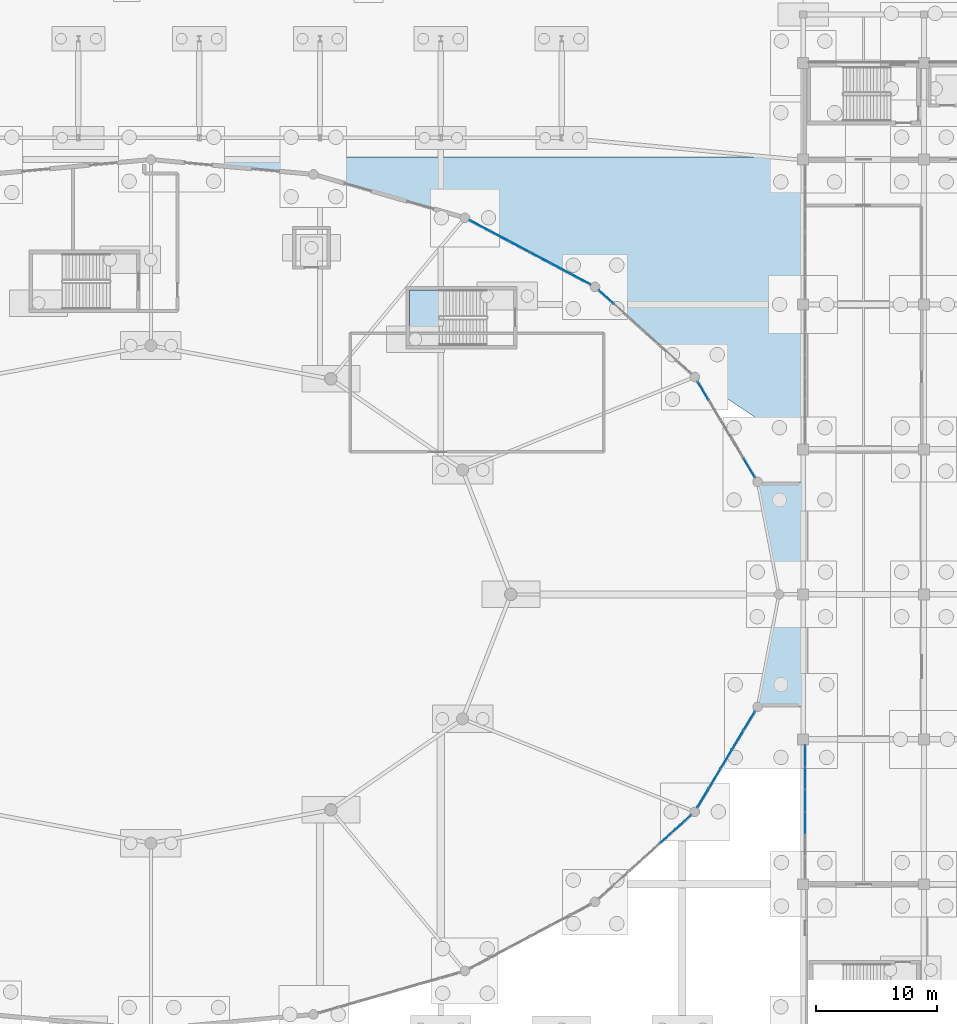
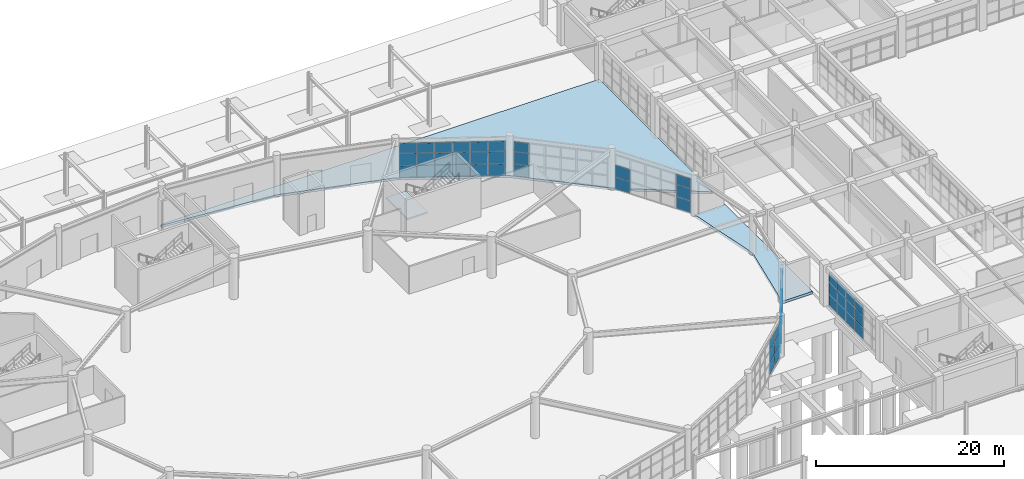
# One storey, part 69 of 99: 59 plates, 3 slabs, 7 elements without a shape of their own.
"""IFC4 building model written with IfcOpenShell, lengths in metres."""

from ifc_helpers import new_model, si_unit, direction, frame, origin, origin_2d, place, context, subcontext, project, spatial, polyline, rectangle, outline, extrude, material, layer, layer_set, type_object, element, aggregate, save


model = new_model("IFC4")

# Units and contexts
model_context = context("Model", 3, precision=1e-05, world=origin(), true_north=direction((0.0, 1.0)))
body_context = subcontext(model_context, "Body", "Model", "MODEL_VIEW")
ifc_project = project(units=[si_unit("LENGTHUNIT", "METRE"), si_unit("AREAUNIT", "SQUARE_METRE"), si_unit("VOLUMEUNIT", "CUBIC_METRE"), si_unit("PLANEANGLEUNIT", "RADIAN"), si_unit("MASSUNIT", "GRAM", prefix="KILO")], contexts=[model_context])

# Site, building, storey
site_placement = place(None, origin())
site = spatial("IfcSite", under=ifc_project, at=site_placement, CompositionType="ELEMENT")
building_placement = place(site_placement, origin())
building = spatial("IfcBuilding", under=site, at=building_placement, Name="Kivolera Central Railway Station", CompositionType="ELEMENT")
storey_placement = place(building_placement, origin())
storey = spatial("IfcBuildingStorey", under=building, at=storey_placement, Name="L00", CompositionType="ELEMENT", Elevation=0.0)

# Curtain wall, plates
ifc_material_1 = material(Name="Anodised aluminium", Category="aluminium")
ifc_layer_1 = layer(ifc_material_1, 0.179931640625, Name="Anodised aluminium")
ifc_layer_set_1 = layer_set([ifc_layer_1], Name="Anodised aluminium")
curtain_wall_type_1 = type_object("IfcCurtainWallType", Name="CW-SYS-01", PredefinedType="NOTDEFINED", material=ifc_layer_set_1)
curtain_wall_1_placement = place(storey_placement, origin())
curtain_wall_1 = element("IfcCurtainWall", 1, at=curtain_wall_1_placement, inside=storey, type_object=curtain_wall_type_1, Name="L00 Curtain Wall CW-L00-OVL-01", PredefinedType="NOTDEFINED")
ifc_material_2 = material(Name="Double low-E laminated glass", Category="glass")
ifc_layer_2 = layer(ifc_material_2, 0.030029296875, Name="Double low-E laminated glass")
ifc_layer_set_2 = layer_set([ifc_layer_2], Name="Double low-E laminated glass")
plate_type_1 = type_object("IfcPlateType", Name="CWP-GLZ-2", PredefinedType="CURTAIN_PANEL", material=ifc_layer_set_2)
plate_1_placement = place(storey_placement, frame((109.7255859375, 106.84228515625, 0.05810546875), z_axis=(0.0, 0.0, 1.0), x_axis=(0.513453894052, -0.858117182372, 0.0)))
plate_1 = element("IfcPlate", 2, at=plate_1_placement, type_object=plate_type_1, Name="CW-01 panel 1.1", PredefinedType="CURTAIN_PANEL", context=body_context, shape_type="SweptSolid", body=[
    extrude(rectangle(XDim=1.782958984375, YDim=0.030029296875, at=origin_2d()), origin(), (0.0, 0.0, 1.0), 1.511474609375),
])
plate_2_placement = place(storey_placement, frame((109.7255859375, 106.84228515625, 1.615478515625), z_axis=(0.0, 0.0, 1.0), x_axis=(0.513453894052, -0.858117182372, 0.0)))
plate_2 = element("IfcPlate", 3, at=plate_2_placement, type_object=plate_type_1, Name="CW-01 panel 1.2", PredefinedType="CURTAIN_PANEL", context=body_context, shape_type="SweptSolid", body=[
    extrude(rectangle(XDim=1.782958984375, YDim=0.030029296875, at=origin_2d()), origin(), (0.0, 0.0, 1.0), 1.54638671875),
])
plate_3_placement = place(storey_placement, frame((113.535400390625, 100.474609375, 0.05810546875), z_axis=(0.0, 0.0, 1.0), x_axis=(0.513453894052, -0.858117182372, 0.0)))
plate_3 = element("IfcPlate", 4, at=plate_3_placement, type_object=plate_type_1, Name="CW-01 panel 5.1", PredefinedType="CURTAIN_PANEL", context=body_context, shape_type="SweptSolid", body=[
    extrude(rectangle(XDim=1.782958984375, YDim=0.030029296875, at=origin_2d()), origin(), (0.0, 0.0, 1.0), 1.511474609375),
])
plate_4_placement = place(storey_placement, frame((113.535400390625, 100.474609375, 1.615478515625), z_axis=(0.0, 0.0, 1.0), x_axis=(0.513453894052, -0.858117182372, 0.0)))
plate_4 = element("IfcPlate", 5, at=plate_4_placement, type_object=plate_type_1, Name="CW-01 panel 5.2", PredefinedType="CURTAIN_PANEL", context=body_context, shape_type="SweptSolid", body=[
    extrude(rectangle(XDim=1.782958984375, YDim=0.030029296875, at=origin_2d()), origin(), (0.0, 0.0, 1.0), 1.54638671875),
])
plate_5_placement = place(storey_placement, frame((113.535400390625, 100.474609375, 3.2080078125), z_axis=(0.0, 0.0, 1.0), x_axis=(0.513453894052, -0.858117182372, 0.0)))
plate_5 = element("IfcPlate", 6, at=plate_5_placement, type_object=plate_type_1, Name="CW-01 panel 5.3", PredefinedType="CURTAIN_PANEL", context=body_context, shape_type="SweptSolid", body=[
    extrude(rectangle(XDim=1.782958984375, YDim=0.030029296875, at=origin_2d()), origin(), (0.0, 0.0, 1.0), 1.283935546875),
])
aggregate(curtain_wall_1, [plate_1, plate_2, plate_3, plate_4, plate_5])

ifc_layer_3 = layer(ifc_material_1, 0.179931640625, Name="Anodised aluminium")
ifc_layer_set_3 = layer_set([ifc_layer_3], Name="Anodised aluminium")
curtain_wall_type_2 = type_object("IfcCurtainWallType", Name="CW-SYS-04", PredefinedType="NOTDEFINED", material=ifc_layer_set_3)
curtain_wall_2_placement = place(storey_placement, origin())
curtain_wall_2 = element("IfcCurtainWall", 7, at=curtain_wall_2_placement, inside=storey, type_object=curtain_wall_type_2, Name="L00 Curtain Wall CW-L00-OVL-21", PredefinedType="NOTDEFINED")
plate_6_placement = place(storey_placement, frame((108.083984375, 71.1435546875, 0.05810546875), z_axis=(0.0, 0.0, 1.0), x_axis=(-0.742431873669, -0.669921572246, 0.0)))
plate_6 = element("IfcPlate", 8, at=plate_6_placement, type_object=plate_type_1, Name="CW-04 panel 1.1", PredefinedType="CURTAIN_PANEL", context=body_context, shape_type="SweptSolid", body=[
    extrude(rectangle(XDim=1.640625, YDim=0.030029296875, at=origin_2d()), origin(), (0.0, 0.0, 1.0), 1.511474609375),
])
plate_7_placement = place(storey_placement, frame((108.083984375, 71.1435546875, 1.615478515625), z_axis=(0.0, 0.0, 1.0), x_axis=(-0.742431873669, -0.669921572246, 0.0)))
plate_7 = element("IfcPlate", 9, at=plate_7_placement, type_object=plate_type_1, Name="CW-04 panel 1.2", PredefinedType="CURTAIN_PANEL", context=body_context, shape_type="SweptSolid", body=[
    extrude(rectangle(XDim=1.640625, YDim=0.030029296875, at=origin_2d()), origin(), (0.0, 0.0, 1.0), 1.54638671875),
])
plate_8_placement = place(storey_placement, frame((108.083984375, 71.1435546875, 3.2080078125), z_axis=(0.0, 0.0, 1.0), x_axis=(-0.742431873669, -0.669921572246, 0.0)))
plate_8 = element("IfcPlate", 10, at=plate_8_placement, type_object=plate_type_1, Name="CW-04 panel 1.3", PredefinedType="CURTAIN_PANEL", context=body_context, shape_type="SweptSolid", body=[
    extrude(rectangle(XDim=1.640625, YDim=0.030029296875, at=origin_2d()), origin(), (0.0, 0.0, 1.0), 1.283935546875),
])
plate_9_placement = place(storey_placement, frame((106.81884765625, 70.001953125, 0.05810546875), z_axis=(0.0, 0.0, 1.0), x_axis=(-0.742431873669, -0.669921572246, 0.0)))
plate_9 = element("IfcPlate", 11, at=plate_9_placement, type_object=plate_type_1, Name="CW-04 panel 2.1", PredefinedType="CURTAIN_PANEL", context=body_context, shape_type="SweptSolid", body=[
    extrude(rectangle(XDim=1.675537109375, YDim=0.030029296875, at=origin_2d()), origin(), (0.0, 0.0, 1.0), 1.511474609375),
])
plate_10_placement = place(storey_placement, frame((106.81884765625, 70.001953125, 1.615478515625), z_axis=(0.0, 0.0, 1.0), x_axis=(-0.742431873669, -0.669921572246, 0.0)))
plate_10 = element("IfcPlate", 12, at=plate_10_placement, type_object=plate_type_1, Name="CW-04 panel 2.2", PredefinedType="CURTAIN_PANEL", context=body_context, shape_type="SweptSolid", body=[
    extrude(rectangle(XDim=1.675537109375, YDim=0.030029296875, at=origin_2d()), origin(), (0.0, 0.0, 1.0), 1.54638671875),
])
plate_11_placement = place(storey_placement, frame((106.81884765625, 70.001953125, 3.2080078125), z_axis=(0.0, 0.0, 1.0), x_axis=(-0.742431873669, -0.669921572246, 0.0)))
plate_11 = element("IfcPlate", 13, at=plate_11_placement, type_object=plate_type_1, Name="CW-04 panel 2.3", PredefinedType="CURTAIN_PANEL", context=body_context, shape_type="SweptSolid", body=[
    extrude(rectangle(XDim=1.675537109375, YDim=0.030029296875, at=origin_2d()), origin(), (0.0, 0.0, 1.0), 1.283935546875),
])
aggregate(curtain_wall_2, [plate_6, plate_7, plate_8, plate_9, plate_10, plate_11])

ifc_layer_4 = layer(ifc_material_1, 0.179931640625, Name="Anodised aluminium")
ifc_layer_set_4 = layer_set([ifc_layer_4], Name="Anodised aluminium")
curtain_wall_type_3 = type_object("IfcCurtainWallType", Name="CW-SYS-23", PredefinedType="NOTDEFINED", material=ifc_layer_set_4)
curtain_wall_3_placement = place(storey_placement, origin())
curtain_wall_3 = element("IfcCurtainWall", 14, at=curtain_wall_3_placement, inside=storey, type_object=curtain_wall_type_3, Name="L00 Curtain Wall CW-L00-WEST-F", PredefinedType="NOTDEFINED")
plate_12_placement = place(storey_placement, frame((118.169921875, 71.07421875, 0.05810546875), z_axis=(0.0, 0.0, 1.0), x_axis=(0.0, 1.0, 0.0)))
plate_12 = element("IfcPlate", 15, at=plate_12_placement, type_object=plate_type_1, Name="CW-23 panel 3.1", PredefinedType="CURTAIN_PANEL", context=body_context, shape_type="SweptSolid", body=[
    extrude(rectangle(XDim=1.8056640625, YDim=0.030029296875, at=origin_2d()), origin(), (0.0, 0.0, 1.0), 1.479248046875),
])
plate_13_placement = place(storey_placement, frame((118.169921875, 71.07421875, 1.5830078125), z_axis=(0.0, 0.0, 1.0), x_axis=(0.0, 1.0, 0.0)))
plate_13 = element("IfcPlate", 16, at=plate_13_placement, type_object=plate_type_1, Name="CW-23 panel 3.2", PredefinedType="CURTAIN_PANEL", context=body_context, shape_type="SweptSolid", body=[
    extrude(rectangle(XDim=1.8056640625, YDim=0.030029296875, at=origin_2d()), origin(), (0.0, 0.0, 1.0), 1.514404296875),
])
plate_14_placement = place(storey_placement, frame((118.169921875, 71.07421875, 3.1435546875), z_axis=(0.0, 0.0, 1.0), x_axis=(0.0, 1.0, 0.0)))
plate_14 = element("IfcPlate", 17, at=plate_14_placement, type_object=plate_type_1, Name="CW-23 panel 3.3", PredefinedType="CURTAIN_PANEL", context=body_context, shape_type="SweptSolid", body=[
    extrude(rectangle(XDim=1.8056640625, YDim=0.030029296875, at=origin_2d()), origin(), (0.0, 0.0, 1.0), 1.25634765625),
])
plate_15_placement = place(storey_placement, frame((118.169921875, 72.92578125, 0.05810546875), z_axis=(0.0, 0.0, 1.0), x_axis=(0.0, 1.0, 0.0)))
plate_15 = element("IfcPlate", 18, at=plate_15_placement, type_object=plate_type_1, Name="CW-23 panel 4.1", PredefinedType="CURTAIN_PANEL", context=body_context, shape_type="SweptSolid", body=[
    extrude(rectangle(XDim=1.8056640625, YDim=0.030029296875, at=origin_2d()), origin(), (0.0, 0.0, 1.0), 1.479248046875),
])
plate_16_placement = place(storey_placement, frame((118.169921875, 72.92578125, 1.5830078125), z_axis=(0.0, 0.0, 1.0), x_axis=(0.0, 1.0, 0.0)))
plate_16 = element("IfcPlate", 19, at=plate_16_placement, type_object=plate_type_1, Name="CW-23 panel 4.2", PredefinedType="CURTAIN_PANEL", context=body_context, shape_type="SweptSolid", body=[
    extrude(rectangle(XDim=1.8056640625, YDim=0.030029296875, at=origin_2d()), origin(), (0.0, 0.0, 1.0), 1.514404296875),
])
plate_17_placement = place(storey_placement, frame((118.169921875, 72.92578125, 3.1435546875), z_axis=(0.0, 0.0, 1.0), x_axis=(0.0, 1.0, 0.0)))
plate_17 = element("IfcPlate", 20, at=plate_17_placement, type_object=plate_type_1, Name="CW-23 panel 4.3", PredefinedType="CURTAIN_PANEL", context=body_context, shape_type="SweptSolid", body=[
    extrude(rectangle(XDim=1.8056640625, YDim=0.030029296875, at=origin_2d()), origin(), (0.0, 0.0, 1.0), 1.25634765625),
])
plate_18_placement = place(storey_placement, frame((118.169921875, 74.777587890625, 0.05810546875), z_axis=(0.0, 0.0, 1.0), x_axis=(0.0, 1.0, 0.0)))
plate_18 = element("IfcPlate", 21, at=plate_18_placement, type_object=plate_type_1, Name="CW-23 panel 5.1", PredefinedType="CURTAIN_PANEL", context=body_context, shape_type="SweptSolid", body=[
    extrude(rectangle(XDim=1.8056640625, YDim=0.030029296875, at=origin_2d()), origin(), (0.0, 0.0, 1.0), 1.479248046875),
])
plate_19_placement = place(storey_placement, frame((118.169921875, 74.777587890625, 1.5830078125), z_axis=(0.0, 0.0, 1.0), x_axis=(0.0, 1.0, 0.0)))
plate_19 = element("IfcPlate", 22, at=plate_19_placement, type_object=plate_type_1, Name="CW-23 panel 5.2", PredefinedType="CURTAIN_PANEL", context=body_context, shape_type="SweptSolid", body=[
    extrude(rectangle(XDim=1.8056640625, YDim=0.030029296875, at=origin_2d()), origin(), (0.0, 0.0, 1.0), 1.514404296875),
])
plate_20_placement = place(storey_placement, frame((118.169921875, 74.777587890625, 3.1435546875), z_axis=(0.0, 0.0, 1.0), x_axis=(0.0, 1.0, 0.0)))
plate_20 = element("IfcPlate", 23, at=plate_20_placement, type_object=plate_type_1, Name="CW-23 panel 5.3", PredefinedType="CURTAIN_PANEL", context=body_context, shape_type="SweptSolid", body=[
    extrude(rectangle(XDim=1.8056640625, YDim=0.030029296875, at=origin_2d()), origin(), (0.0, 0.0, 1.0), 1.25634765625),
])
plate_21_placement = place(storey_placement, frame((118.169921875, 76.611572265625, 0.05810546875), z_axis=(0.0, 0.0, 1.0), x_axis=(0.0, 1.0, 0.0)))
plate_21 = element("IfcPlate", 24, at=plate_21_placement, type_object=plate_type_1, Name="CW-23 panel 6.1", PredefinedType="CURTAIN_PANEL", context=body_context, shape_type="SweptSolid", body=[
    extrude(rectangle(XDim=1.770751953125, YDim=0.030029296875, at=origin_2d()), origin(), (0.0, 0.0, 1.0), 1.479248046875),
])
plate_22_placement = place(storey_placement, frame((118.169921875, 76.611572265625, 1.5830078125), z_axis=(0.0, 0.0, 1.0), x_axis=(0.0, 1.0, 0.0)))
plate_22 = element("IfcPlate", 25, at=plate_22_placement, type_object=plate_type_1, Name="CW-23 panel 6.2", PredefinedType="CURTAIN_PANEL", context=body_context, shape_type="SweptSolid", body=[
    extrude(rectangle(XDim=1.770751953125, YDim=0.030029296875, at=origin_2d()), origin(), (0.0, 0.0, 1.0), 1.514404296875),
])
plate_23_placement = place(storey_placement, frame((118.169921875, 76.611572265625, 3.1435546875), z_axis=(0.0, 0.0, 1.0), x_axis=(0.0, 1.0, 0.0)))
plate_23 = element("IfcPlate", 26, at=plate_23_placement, type_object=plate_type_1, Name="CW-23 panel 6.3", PredefinedType="CURTAIN_PANEL", context=body_context, shape_type="SweptSolid", body=[
    extrude(rectangle(XDim=1.770751953125, YDim=0.030029296875, at=origin_2d()), origin(), (0.0, 0.0, 1.0), 1.25634765625),
])
aggregate(curtain_wall_3, [plate_12, plate_13, plate_14, plate_15, plate_16, plate_17, plate_18, plate_19, plate_20, plate_21, plate_22, plate_23])

curtain_wall_4_placement = place(storey_placement, origin())
curtain_wall_4 = element("IfcCurtainWall", 27, at=curtain_wall_4_placement, inside=storey, type_object=curtain_wall_type_2, Name="L00 Curtain Wall CW-L00-OVL-02", PredefinedType="NOTDEFINED")
ifc_layer_5 = layer(ifc_material_2, 0.033935546875, Name="Double low-E laminated glass")
ifc_layer_set_5 = layer_set([ifc_layer_5], Name="Double low-E laminated glass")
plate_type_2 = type_object("IfcPlateType", Name="CWP-GLZ-3", PredefinedType="CURTAIN_PANEL", material=ifc_layer_set_5)
plate_24_placement = place(storey_placement, frame((101.718994140625, 114.599609375, 0.05810546875), z_axis=(0.0, 0.0, 1.0), x_axis=(0.742431873669, -0.669921572246, 0.0)))
plate_24 = element("IfcPlate", 28, at=plate_24_placement, type_object=plate_type_2, Name="CW-04 panel 1.1", PredefinedType="CURTAIN_PANEL", context=body_context, shape_type="SweptSolid", body=[
    extrude(rectangle(XDim=1.640625, YDim=0.033935546875, at=origin_2d()), origin(), (0.0, 0.0, 1.0), 1.511474609375),
])
plate_25_placement = place(storey_placement, frame((101.718994140625, 114.599609375, 1.615478515625), z_axis=(0.0, 0.0, 1.0), x_axis=(0.742431873669, -0.669921572246, 0.0)))
plate_25 = element("IfcPlate", 29, at=plate_25_placement, type_object=plate_type_2, Name="CW-04 panel 1.2", PredefinedType="CURTAIN_PANEL", context=body_context, shape_type="SweptSolid", body=[
    extrude(rectangle(XDim=1.640625, YDim=0.033935546875, at=origin_2d()), origin(), (0.0, 0.0, 1.0), 1.54638671875),
])
plate_26_placement = place(storey_placement, frame((101.718994140625, 114.599609375, 3.2080078125), z_axis=(0.0, 0.0, 1.0), x_axis=(0.742431873669, -0.669921572246, 0.0)))
plate_26 = element("IfcPlate", 30, at=plate_26_placement, type_object=plate_type_2, Name="CW-04 panel 1.3", PredefinedType="CURTAIN_PANEL", context=body_context, shape_type="SweptSolid", body=[
    extrude(rectangle(XDim=1.640625, YDim=0.033935546875, at=origin_2d()), origin(), (0.0, 0.0, 1.0), 1.283935546875),
])
aggregate(curtain_wall_4, [plate_24, plate_25, plate_26])

curtain_wall_5_placement = place(storey_placement, origin())
curtain_wall_5 = element("IfcCurtainWall", 31, at=curtain_wall_5_placement, inside=storey, type_object=curtain_wall_type_1, Name="L00 Curtain Wall CW-L00-OVL-22", PredefinedType="NOTDEFINED")
plate_27_placement = place(storey_placement, frame((113.535400390625, 79.525390625, 0.05810546875), z_axis=(0.0, 0.0, 1.0), x_axis=(-0.513453894052, -0.858117182372, 0.0)))
plate_27 = element("IfcPlate", 32, at=plate_27_placement, type_object=plate_type_2, Name="CW-01 panel 1.1", PredefinedType="CURTAIN_PANEL", context=body_context, shape_type="SweptSolid", body=[
    extrude(rectangle(XDim=1.782958984375, YDim=0.033935546875, at=origin_2d()), origin(), (0.0, 0.0, 1.0), 1.511474609375),
])
plate_28_placement = place(storey_placement, frame((113.535400390625, 79.525390625, 1.615478515625), z_axis=(0.0, 0.0, 1.0), x_axis=(-0.513453894052, -0.858117182372, 0.0)))
plate_28 = element("IfcPlate", 33, at=plate_28_placement, type_object=plate_type_2, Name="CW-01 panel 1.2", PredefinedType="CURTAIN_PANEL", context=body_context, shape_type="SweptSolid", body=[
    extrude(rectangle(XDim=1.782958984375, YDim=0.033935546875, at=origin_2d()), origin(), (0.0, 0.0, 1.0), 1.54638671875),
])
plate_29_placement = place(storey_placement, frame((113.535400390625, 79.525390625, 3.2080078125), z_axis=(0.0, 0.0, 1.0), x_axis=(-0.513453894052, -0.858117182372, 0.0)))
plate_29 = element("IfcPlate", 34, at=plate_29_placement, type_object=plate_type_2, Name="CW-01 panel 1.3", PredefinedType="CURTAIN_PANEL", context=body_context, shape_type="SweptSolid", body=[
    extrude(rectangle(XDim=1.782958984375, YDim=0.033935546875, at=origin_2d()), origin(), (0.0, 0.0, 1.0), 1.283935546875),
])
plate_30_placement = place(storey_placement, frame((112.58740234375, 77.94091796875, 0.05810546875), z_axis=(0.0, 0.0, 1.0), x_axis=(-0.513453894052, -0.858117182372, 0.0)))
plate_30 = element("IfcPlate", 35, at=plate_30_placement, type_object=plate_type_2, Name="CW-01 panel 2.1", PredefinedType="CURTAIN_PANEL", context=body_context, shape_type="SweptSolid", body=[
    extrude(rectangle(XDim=1.81787109375, YDim=0.033935546875, at=origin_2d()), origin(), (0.0, 0.0, 1.0), 1.511474609375),
])
plate_31_placement = place(storey_placement, frame((112.58740234375, 77.94091796875, 1.615478515625), z_axis=(0.0, 0.0, 1.0), x_axis=(-0.513453894052, -0.858117182372, 0.0)))
plate_31 = element("IfcPlate", 36, at=plate_31_placement, type_object=plate_type_2, Name="CW-01 panel 2.2", PredefinedType="CURTAIN_PANEL", context=body_context, shape_type="SweptSolid", body=[
    extrude(rectangle(XDim=1.81787109375, YDim=0.033935546875, at=origin_2d()), origin(), (0.0, 0.0, 1.0), 1.54638671875),
])
plate_32_placement = place(storey_placement, frame((112.58740234375, 77.94091796875, 3.2080078125), z_axis=(0.0, 0.0, 1.0), x_axis=(-0.513453894052, -0.858117182372, 0.0)))
plate_32 = element("IfcPlate", 37, at=plate_32_placement, type_object=plate_type_2, Name="CW-01 panel 2.3", PredefinedType="CURTAIN_PANEL", context=body_context, shape_type="SweptSolid", body=[
    extrude(rectangle(XDim=1.81787109375, YDim=0.033935546875, at=origin_2d()), origin(), (0.0, 0.0, 1.0), 1.283935546875),
])
plate_33_placement = place(storey_placement, frame((111.630615234375, 76.341552734375, 0.05810546875), z_axis=(0.0, 0.0, 1.0), x_axis=(-0.513453894052, -0.858117182372, 0.0)))
plate_33 = element("IfcPlate", 38, at=plate_33_placement, type_object=plate_type_2, Name="CW-01 panel 3.1", PredefinedType="CURTAIN_PANEL", context=body_context, shape_type="SweptSolid", body=[
    extrude(rectangle(XDim=1.81787109375, YDim=0.033935546875, at=origin_2d()), origin(), (0.0, 0.0, 1.0), 1.511474609375),
])
plate_34_placement = place(storey_placement, frame((111.630615234375, 76.341552734375, 1.615478515625), z_axis=(0.0, 0.0, 1.0), x_axis=(-0.513453894052, -0.858117182372, 0.0)))
plate_34 = element("IfcPlate", 39, at=plate_34_placement, type_object=plate_type_2, Name="CW-01 panel 3.2", PredefinedType="CURTAIN_PANEL", context=body_context, shape_type="SweptSolid", body=[
    extrude(rectangle(XDim=1.81787109375, YDim=0.033935546875, at=origin_2d()), origin(), (0.0, 0.0, 1.0), 1.54638671875),
])
plate_35_placement = place(storey_placement, frame((111.630615234375, 76.341552734375, 3.2080078125), z_axis=(0.0, 0.0, 1.0), x_axis=(-0.513453894052, -0.858117182372, 0.0)))
plate_35 = element("IfcPlate", 40, at=plate_35_placement, type_object=plate_type_2, Name="CW-01 panel 3.3", PredefinedType="CURTAIN_PANEL", context=body_context, shape_type="SweptSolid", body=[
    extrude(rectangle(XDim=1.81787109375, YDim=0.033935546875, at=origin_2d()), origin(), (0.0, 0.0, 1.0), 1.283935546875),
])
plate_36_placement = place(storey_placement, frame((110.673583984375, 74.7421875, 0.05810546875), z_axis=(0.0, 0.0, 1.0), x_axis=(-0.513453894052, -0.858117182372, 0.0)))
plate_36 = element("IfcPlate", 41, at=plate_36_placement, type_object=plate_type_2, Name="CW-01 panel 4.1", PredefinedType="CURTAIN_PANEL", context=body_context, shape_type="SweptSolid", body=[
    extrude(rectangle(XDim=1.81787109375, YDim=0.033935546875, at=origin_2d()), origin(), (0.0, 0.0, 1.0), 1.511474609375),
])
plate_37_placement = place(storey_placement, frame((110.673583984375, 74.7421875, 1.615478515625), z_axis=(0.0, 0.0, 1.0), x_axis=(-0.513453894052, -0.858117182372, 0.0)))
plate_37 = element("IfcPlate", 42, at=plate_37_placement, type_object=plate_type_2, Name="CW-01 panel 4.2", PredefinedType="CURTAIN_PANEL", context=body_context, shape_type="SweptSolid", body=[
    extrude(rectangle(XDim=1.81787109375, YDim=0.033935546875, at=origin_2d()), origin(), (0.0, 0.0, 1.0), 1.54638671875),
])
plate_38_placement = place(storey_placement, frame((110.673583984375, 74.7421875, 3.2080078125), z_axis=(0.0, 0.0, 1.0), x_axis=(-0.513453894052, -0.858117182372, 0.0)))
plate_38 = element("IfcPlate", 43, at=plate_38_placement, type_object=plate_type_2, Name="CW-01 panel 4.3", PredefinedType="CURTAIN_PANEL", context=body_context, shape_type="SweptSolid", body=[
    extrude(rectangle(XDim=1.81787109375, YDim=0.033935546875, at=origin_2d()), origin(), (0.0, 0.0, 1.0), 1.283935546875),
])
plate_39_placement = place(storey_placement, frame((109.7255859375, 73.15771484375, 0.05810546875), z_axis=(0.0, 0.0, 1.0), x_axis=(-0.513453894052, -0.858117182372, 0.0)))
plate_39 = element("IfcPlate", 44, at=plate_39_placement, type_object=plate_type_2, Name="CW-01 panel 5.1", PredefinedType="CURTAIN_PANEL", context=body_context, shape_type="SweptSolid", body=[
    extrude(rectangle(XDim=1.782958984375, YDim=0.033935546875, at=origin_2d()), origin(), (0.0, 0.0, 1.0), 1.511474609375),
])
plate_40_placement = place(storey_placement, frame((109.7255859375, 73.15771484375, 1.615478515625), z_axis=(0.0, 0.0, 1.0), x_axis=(-0.513453894052, -0.858117182372, 0.0)))
plate_40 = element("IfcPlate", 45, at=plate_40_placement, type_object=plate_type_2, Name="CW-01 panel 5.2", PredefinedType="CURTAIN_PANEL", context=body_context, shape_type="SweptSolid", body=[
    extrude(rectangle(XDim=1.782958984375, YDim=0.033935546875, at=origin_2d()), origin(), (0.0, 0.0, 1.0), 1.54638671875),
])
plate_41_placement = place(storey_placement, frame((109.7255859375, 73.15771484375, 3.2080078125), z_axis=(0.0, 0.0, 1.0), x_axis=(-0.513453894052, -0.858117182372, 0.0)))
plate_41 = element("IfcPlate", 46, at=plate_41_placement, type_object=plate_type_2, Name="CW-01 panel 5.3", PredefinedType="CURTAIN_PANEL", context=body_context, shape_type="SweptSolid", body=[
    extrude(rectangle(XDim=1.782958984375, YDim=0.033935546875, at=origin_2d()), origin(), (0.0, 0.0, 1.0), 1.283935546875),
])
aggregate(curtain_wall_5, [plate_27, plate_28, plate_29, plate_30, plate_31, plate_32, plate_33, plate_34, plate_35, plate_36, plate_37, plate_38, plate_39, plate_40, plate_41])

ifc_layer_6 = layer(ifc_material_1, 0.179931640625, Name="Anodised aluminium")
ifc_layer_set_6 = layer_set([ifc_layer_6], Name="Anodised aluminium")
curtain_wall_type_4 = type_object("IfcCurtainWallType", Name="CW-SYS-07", PredefinedType="NOTDEFINED", material=ifc_layer_set_6)
curtain_wall_6_placement = place(storey_placement, origin())
curtain_wall_6 = element("IfcCurtainWall", 47, at=curtain_wall_6_placement, inside=storey, type_object=curtain_wall_type_4, Name="L00 Curtain Wall CW-L00-OVL-03", PredefinedType="NOTDEFINED")
ifc_layer_7 = layer(ifc_material_2, 0.0380859375, Name="Double low-E laminated glass")
ifc_layer_set_7 = layer_set([ifc_layer_7], Name="Double low-E laminated glass")
plate_type_3 = type_object("IfcPlateType", Name="CWP-GLZ-4", PredefinedType="CURTAIN_PANEL", material=ifc_layer_set_7)
plate_42_placement = place(storey_placement, frame((91.20703125, 120.535400390625, 0.05810546875), z_axis=(0.0, 0.0, 1.0), x_axis=(0.883170250772, -0.46905256438, 0.0)))
plate_42 = element("IfcPlate", 48, at=plate_42_placement, type_object=plate_type_3, Name="CW-07 panel 1.1", PredefinedType="CURTAIN_PANEL", context=body_context, shape_type="SweptSolid", body=[
    extrude(rectangle(XDim=1.818115234375, YDim=0.0380859375, at=origin_2d()), origin(), (0.0, 0.0, 1.0), 1.511474609375),
])
plate_43_placement = place(storey_placement, frame((91.20703125, 120.535400390625, 1.615478515625), z_axis=(0.0, 0.0, 1.0), x_axis=(0.883170250772, -0.46905256438, 0.0)))
plate_43 = element("IfcPlate", 49, at=plate_43_placement, type_object=plate_type_3, Name="CW-07 panel 1.2", PredefinedType="CURTAIN_PANEL", context=body_context, shape_type="SweptSolid", body=[
    extrude(rectangle(XDim=1.818115234375, YDim=0.0380859375, at=origin_2d()), origin(), (0.0, 0.0, 1.0), 1.54638671875),
])
plate_44_placement = place(storey_placement, frame((91.20703125, 120.535400390625, 3.2080078125), z_axis=(0.0, 0.0, 1.0), x_axis=(0.883170250772, -0.46905256438, 0.0)))
plate_44 = element("IfcPlate", 50, at=plate_44_placement, type_object=plate_type_3, Name="CW-07 panel 1.3", PredefinedType="CURTAIN_PANEL", context=body_context, shape_type="SweptSolid", body=[
    extrude(rectangle(XDim=1.818115234375, YDim=0.0380859375, at=origin_2d()), origin(), (0.0, 0.0, 1.0), 1.283935546875),
])
plate_45_placement = place(storey_placement, frame((92.868896484375, 119.65283203125, 0.05810546875), z_axis=(0.0, 0.0, 1.0), x_axis=(0.883170250772, -0.46905256438, 0.0)))
plate_45 = element("IfcPlate", 51, at=plate_45_placement, type_object=plate_type_3, Name="CW-07 panel 2.1", PredefinedType="CURTAIN_PANEL", context=body_context, shape_type="SweptSolid", body=[
    extrude(rectangle(XDim=1.853271484375, YDim=0.0380859375, at=origin_2d()), origin(), (0.0, 0.0, 1.0), 1.511474609375),
])
plate_46_placement = place(storey_placement, frame((92.868896484375, 119.65283203125, 1.615478515625), z_axis=(0.0, 0.0, 1.0), x_axis=(0.883170250772, -0.46905256438, 0.0)))
plate_46 = element("IfcPlate", 52, at=plate_46_placement, type_object=plate_type_3, Name="CW-07 panel 2.2", PredefinedType="CURTAIN_PANEL", context=body_context, shape_type="SweptSolid", body=[
    extrude(rectangle(XDim=1.853271484375, YDim=0.0380859375, at=origin_2d()), origin(), (0.0, 0.0, 1.0), 1.54638671875),
])
plate_47_placement = place(storey_placement, frame((92.868896484375, 119.65283203125, 3.2080078125), z_axis=(0.0, 0.0, 1.0), x_axis=(0.883170250772, -0.46905256438, 0.0)))
plate_47 = element("IfcPlate", 53, at=plate_47_placement, type_object=plate_type_3, Name="CW-07 panel 2.3", PredefinedType="CURTAIN_PANEL", context=body_context, shape_type="SweptSolid", body=[
    extrude(rectangle(XDim=1.853271484375, YDim=0.0380859375, at=origin_2d()), origin(), (0.0, 0.0, 1.0), 1.283935546875),
])
plate_48_placement = place(storey_placement, frame((94.54638671875, 118.761962890625, 0.05810546875), z_axis=(0.0, 0.0, 1.0), x_axis=(0.883170250772, -0.46905256438, 0.0)))
plate_48 = element("IfcPlate", 54, at=plate_48_placement, type_object=plate_type_3, Name="CW-07 panel 3.1", PredefinedType="CURTAIN_PANEL", context=body_context, shape_type="SweptSolid", body=[
    extrude(rectangle(XDim=1.853271484375, YDim=0.0380859375, at=origin_2d()), origin(), (0.0, 0.0, 1.0), 1.511474609375),
])
plate_49_placement = place(storey_placement, frame((94.54638671875, 118.761962890625, 1.615478515625), z_axis=(0.0, 0.0, 1.0), x_axis=(0.883170250772, -0.46905256438, 0.0)))
plate_49 = element("IfcPlate", 55, at=plate_49_placement, type_object=plate_type_3, Name="CW-07 panel 3.2", PredefinedType="CURTAIN_PANEL", context=body_context, shape_type="SweptSolid", body=[
    extrude(rectangle(XDim=1.853271484375, YDim=0.0380859375, at=origin_2d()), origin(), (0.0, 0.0, 1.0), 1.54638671875),
])
plate_50_placement = place(storey_placement, frame((94.54638671875, 118.761962890625, 3.2080078125), z_axis=(0.0, 0.0, 1.0), x_axis=(0.883170250772, -0.46905256438, 0.0)))
plate_50 = element("IfcPlate", 56, at=plate_50_placement, type_object=plate_type_3, Name="CW-07 panel 3.3", PredefinedType="CURTAIN_PANEL", context=body_context, shape_type="SweptSolid", body=[
    extrude(rectangle(XDim=1.853271484375, YDim=0.0380859375, at=origin_2d()), origin(), (0.0, 0.0, 1.0), 1.283935546875),
])
plate_51_placement = place(storey_placement, frame((96.2236328125, 117.87109375, 0.05810546875), z_axis=(0.0, 0.0, 1.0), x_axis=(0.883170250772, -0.46905256438, 0.0)))
plate_51 = element("IfcPlate", 57, at=plate_51_placement, type_object=plate_type_3, Name="CW-07 panel 4.1", PredefinedType="CURTAIN_PANEL", context=body_context, shape_type="SweptSolid", body=[
    extrude(rectangle(XDim=1.853271484375, YDim=0.0380859375, at=origin_2d()), origin(), (0.0, 0.0, 1.0), 1.511474609375),
])
plate_52_placement = place(storey_placement, frame((96.2236328125, 117.87109375, 1.615478515625), z_axis=(0.0, 0.0, 1.0), x_axis=(0.883170250772, -0.46905256438, 0.0)))
plate_52 = element("IfcPlate", 58, at=plate_52_placement, type_object=plate_type_3, Name="CW-07 panel 4.2", PredefinedType="CURTAIN_PANEL", context=body_context, shape_type="SweptSolid", body=[
    extrude(rectangle(XDim=1.853271484375, YDim=0.0380859375, at=origin_2d()), origin(), (0.0, 0.0, 1.0), 1.54638671875),
])
plate_53_placement = place(storey_placement, frame((96.2236328125, 117.87109375, 3.2080078125), z_axis=(0.0, 0.0, 1.0), x_axis=(0.883170250772, -0.46905256438, 0.0)))
plate_53 = element("IfcPlate", 59, at=plate_53_placement, type_object=plate_type_3, Name="CW-07 panel 4.3", PredefinedType="CURTAIN_PANEL", context=body_context, shape_type="SweptSolid", body=[
    extrude(rectangle(XDim=1.853271484375, YDim=0.0380859375, at=origin_2d()), origin(), (0.0, 0.0, 1.0), 1.283935546875),
])
plate_54_placement = place(storey_placement, frame((97.90087890625, 116.980224609375, 0.05810546875), z_axis=(0.0, 0.0, 1.0), x_axis=(0.883170250772, -0.46905256438, 0.0)))
plate_54 = element("IfcPlate", 60, at=plate_54_placement, type_object=plate_type_3, Name="CW-07 panel 5.1", PredefinedType="CURTAIN_PANEL", context=body_context, shape_type="SweptSolid", body=[
    extrude(rectangle(XDim=1.853271484375, YDim=0.0380859375, at=origin_2d()), origin(), (0.0, 0.0, 1.0), 1.511474609375),
])
plate_55_placement = place(storey_placement, frame((97.90087890625, 116.980224609375, 1.615478515625), z_axis=(0.0, 0.0, 1.0), x_axis=(0.883170250772, -0.46905256438, 0.0)))
plate_55 = element("IfcPlate", 61, at=plate_55_placement, type_object=plate_type_3, Name="CW-07 panel 5.2", PredefinedType="CURTAIN_PANEL", context=body_context, shape_type="SweptSolid", body=[
    extrude(rectangle(XDim=1.853271484375, YDim=0.0380859375, at=origin_2d()), origin(), (0.0, 0.0, 1.0), 1.54638671875),
])
plate_56_placement = place(storey_placement, frame((97.90087890625, 116.980224609375, 3.2080078125), z_axis=(0.0, 0.0, 1.0), x_axis=(0.883170250772, -0.46905256438, 0.0)))
plate_56 = element("IfcPlate", 62, at=plate_56_placement, type_object=plate_type_3, Name="CW-07 panel 5.3", PredefinedType="CURTAIN_PANEL", context=body_context, shape_type="SweptSolid", body=[
    extrude(rectangle(XDim=1.853271484375, YDim=0.0380859375, at=origin_2d()), origin(), (0.0, 0.0, 1.0), 1.283935546875),
])
plate_57_placement = place(storey_placement, frame((99.56298828125, 116.09765625, 0.05810546875), z_axis=(0.0, 0.0, 1.0), x_axis=(0.883170250772, -0.46905256438, 0.0)))
plate_57 = element("IfcPlate", 63, at=plate_57_placement, type_object=plate_type_3, Name="CW-07 panel 6.1", PredefinedType="CURTAIN_PANEL", context=body_context, shape_type="SweptSolid", body=[
    extrude(rectangle(XDim=1.818115234375, YDim=0.0380859375, at=origin_2d()), origin(), (0.0, 0.0, 1.0), 1.511474609375),
])
plate_58_placement = place(storey_placement, frame((99.56298828125, 116.09765625, 1.615478515625), z_axis=(0.0, 0.0, 1.0), x_axis=(0.883170250772, -0.46905256438, 0.0)))
plate_58 = element("IfcPlate", 64, at=plate_58_placement, type_object=plate_type_3, Name="CW-07 panel 6.2", PredefinedType="CURTAIN_PANEL", context=body_context, shape_type="SweptSolid", body=[
    extrude(rectangle(XDim=1.818115234375, YDim=0.0380859375, at=origin_2d()), origin(), (0.0, 0.0, 1.0), 1.54638671875),
])
plate_59_placement = place(storey_placement, frame((99.56298828125, 116.09765625, 3.2080078125), z_axis=(0.0, 0.0, 1.0), x_axis=(0.883170250772, -0.46905256438, 0.0)))
plate_59 = element("IfcPlate", 65, at=plate_59_placement, type_object=plate_type_3, Name="CW-07 panel 6.3", PredefinedType="CURTAIN_PANEL", context=body_context, shape_type="SweptSolid", body=[
    extrude(rectangle(XDim=1.818115234375, YDim=0.0380859375, at=origin_2d()), origin(), (0.0, 0.0, 1.0), 1.283935546875),
])
aggregate(curtain_wall_6, [plate_42, plate_43, plate_44, plate_45, plate_46, plate_47, plate_48, plate_49, plate_50, plate_51, plate_52, plate_53, plate_54, plate_55, plate_56, plate_57, plate_58, plate_59])

# Slabs
ifc_material_3 = material(Name="Concrete C35/45", Category="concrete")
ifc_layer_8 = layer(ifc_material_3, 0.35009765625, Name="Concrete C35/45")
ifc_layer_set_8 = layer_set([ifc_layer_8], Name="Concrete C35/45")
slab_type_1 = type_object("IfcSlabType", Name="SLB-BASE-350", PredefinedType="BASESLAB", material=ifc_layer_set_8)
slab_1_placement = place(storey_placement, frame((0.0, 0.0, -0.35009765625)))
element("IfcSlab", 66, at=slab_1_placement, inside=storey, type_object=slab_type_1, Name="L00 Concourse-to-Wing Link Base Slab", PredefinedType="BASESLAB", context=body_context, shape_type="SweptSolid", body=[
    extrude(outline(polyline([(114.22802734375, 80.68310546875), (118.0, 80.68310546875), (118.0, 99.31689453125), (114.22802734375, 99.31689453125), (116.0, 90.0), (114.22802734375, 80.68310546875)])), origin(), (0.0, 0.0, 1.0), 0.35009765625),
])
ifc_layer_9 = layer(ifc_material_3, 0.300048828125, Name="Concrete C35/45")
ifc_layer_set_9 = layer_set([ifc_layer_9], Name="Concrete C35/45")
slab_type_2 = type_object("IfcSlabType", Name="SLB-EXT-300", PredefinedType="BASESLAB", material=ifc_layer_set_9)
slab_2_placement = place(storey_placement, frame((0.0, 0.0, -0.300048828125)))
element("IfcSlab", 67, at=slab_2_placement, inside=storey, type_object=slab_type_2, Name="North-East Concourse Forecourt Apron Slab", PredefinedType="BASESLAB", context=body_context, shape_type="SweptSolid", body=[
    extrude(outline(polyline([(64.0, 126.199951171875), (118.0, 126.199951171875), (118.0, 102.0), (109.032958984375, 108.0), (100.77001953125, 115.4560546875), (90.0, 121.177001953125), (77.458984375, 124.77294921875), (64.0, 126.0), (64.0, 126.199951171875)])), origin(), (0.0, 0.0, 1.0), 0.300048828125),
])

# Stair, slab
ifc_material_4 = material(Name="Concrete C40/50", Category="concrete")
stair_type = type_object("IfcStairType", Name="STR-2200-30", PredefinedType="HALF_TURN_STAIR", material=ifc_material_4)
stair_placement = place(storey_placement, origin())
stair = element("IfcStair", 68, at=stair_placement, inside=storey, type_object=stair_type, Name="L00 East Concourse Link Stair ST7", PredefinedType="HALF_TURN_STAIR")
ifc_layer_10 = layer(ifc_material_4, 0.199951171875, Name="Concrete C40/50")
ifc_layer_set_10 = layer_set([ifc_layer_10], Name="Concrete C40/50")
slab_type_3 = type_object("IfcSlabType", Name="SLB-LND-200", PredefinedType="LANDING", material=ifc_layer_set_10)
slab_3_placement = place(storey_placement, frame((0.0, 0.0, 2.5)))
slab_3 = element("IfcSlab", 69, at=slab_3_placement, type_object=slab_type_3, Name="ST7 landing 1", PredefinedType="LANDING", context=body_context, shape_type="SweptSolid", body=[
    extrude(outline(polyline([(87.8798828125, 115.199951171875), (85.39990234375, 115.199951171875), (85.39990234375, 110.6201171875), (87.8798828125, 110.6201171875), (87.8798828125, 115.199951171875)])), origin(), (0.0, 0.0, 1.0), 0.199951171875),
])
aggregate(stair, [slab_3])

save(model, "model.ifc")
